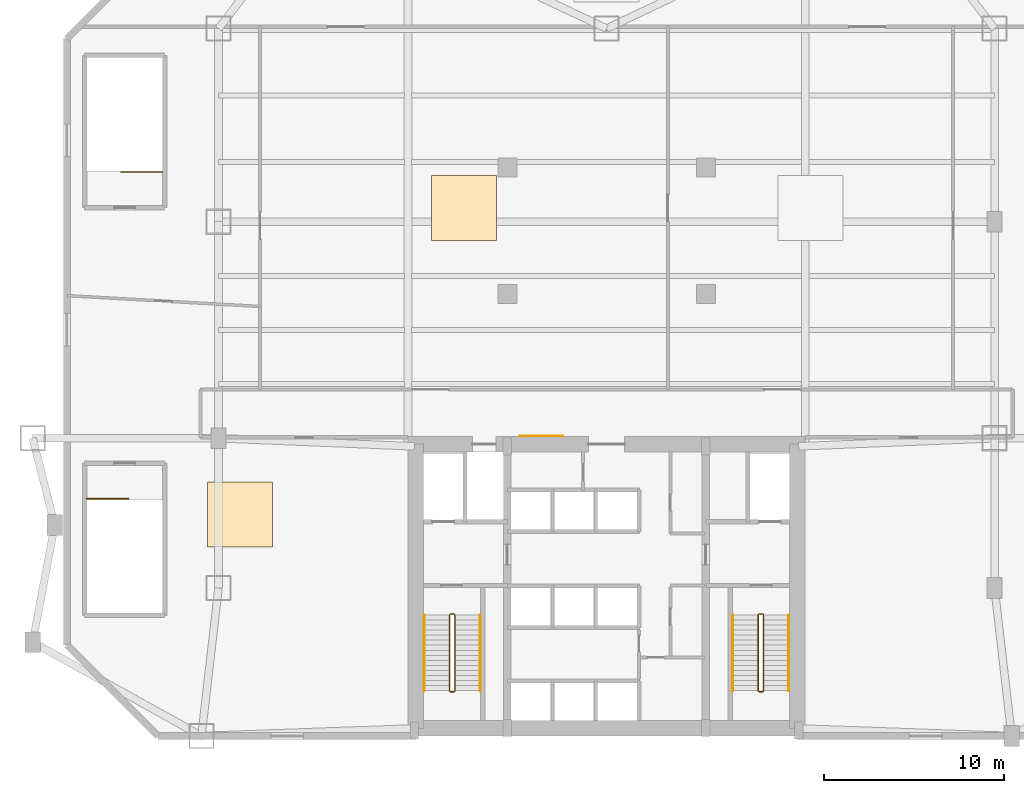
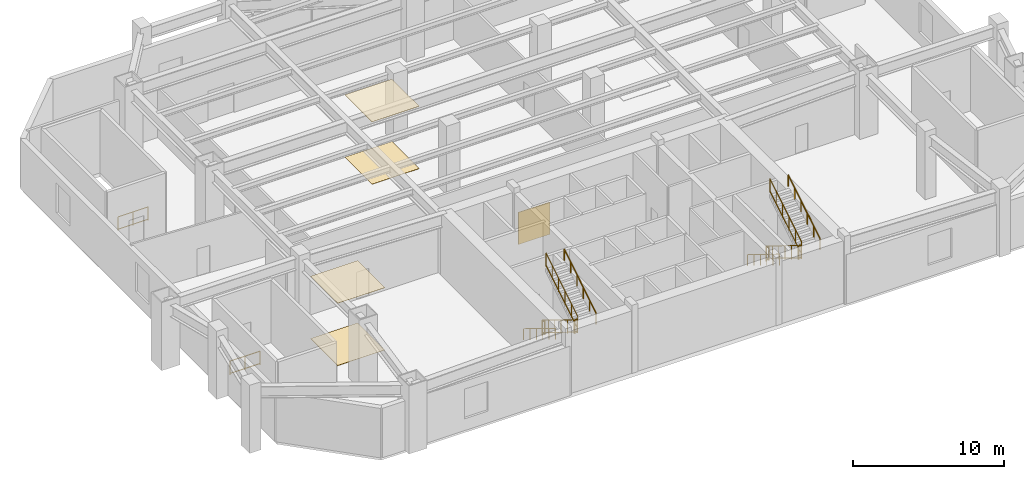
# One storey, part 7 of 8: 14 railings, 5 coverings.
"""IFC4 building model written with IfcOpenShell, lengths in metres."""

from ifc_helpers import new_model, si_unit, direction, frame, origin, origin_2d, place, context, subcontext, project, spatial, rectangle, extrude, source, transform, mapped, material, layer, layer_set, type_object, type_shapes, element, save


model = new_model("IFC4")

# Units and contexts
model_context = context("Model", 3, precision=1e-05, world=origin(), true_north=direction((0.0, 1.0)))
body_context = subcontext(model_context, "Body", "Model", "MODEL_VIEW")
ifc_project = project(units=[si_unit("LENGTHUNIT", "METRE"), si_unit("AREAUNIT", "SQUARE_METRE"), si_unit("VOLUMEUNIT", "CUBIC_METRE"), si_unit("PLANEANGLEUNIT", "RADIAN"), si_unit("MASSUNIT", "GRAM", prefix="KILO")], contexts=[model_context])

# Site, building, storey
site_placement = place(None, origin())
site = spatial("IfcSite", under=ifc_project, at=site_placement, CompositionType="ELEMENT")
building_placement = place(site_placement, origin())
building = spatial("IfcBuilding", under=site, at=building_placement, Name="Varnakhor Terracotta Tower", CompositionType="ELEMENT")
storey_placement = place(building_placement, frame((0.0, 0.0, 16.5)))
storey = spatial("IfcBuildingStorey", under=building, at=storey_placement, Name="L03", CompositionType="ELEMENT", Elevation=16.5)

# Railings
ifc_material_1 = material(Name="Painted Steel Stairwell Guardrail", Category="steel")
railing_type_1 = type_object("IfcRailingType", Name="RLG-STAIR-GUARD-1120", PredefinedType="GUARDRAIL", material=ifc_material_1)
railing_1_placement = place(storey_placement, frame((-8.699951171875, 6.7099609375, 0.171875)))
element("IfcRailing", 1, at=railing_1_placement, inside=storey, type_object=railing_type_1, Name="L03 ST-1 stair guard 1", PredefinedType="GUARDRAIL", context=body_context, shape_type="SweptSolid", body=[
    extrude(rectangle(XDim=0.048095703125, YDim=0.048095703125, at=origin_2d()), frame((0.0, 0.0, 1.09619140625), z_axis=(0.0, -0.852242915053, 0.523146264196), x_axis=(1.0, 0.0, 0.0)), (0.0, 0.0, 1.0), 4.92822265625),
    extrude(rectangle(XDim=0.048095703125, YDim=0.048095703125, at=origin_2d()), frame((0.0, 0.0, 0.10009765625), z_axis=(0.0, -0.852242915053, 0.523146264196), x_axis=(1.0, 0.0, 0.0)), (0.0, 0.0, 1.0), 4.92822265625),
    extrude(rectangle(XDim=0.0419921875, YDim=0.0419921875, at=origin_2d()), origin(), (0.0, 0.0, 1.0), 1.072021484375),
    extrude(rectangle(XDim=0.0419921875, YDim=0.0419921875, at=origin_2d()), frame((0.0, -0.840087890625, 0.515625)), (0.0, 0.0, 1.0), 1.072021484375),
    extrude(rectangle(XDim=0.0419921875, YDim=0.0419921875, at=origin_2d()), frame((0.0, -1.679931640625, 1.03125)), (0.0, 0.0, 1.0), 1.072021484375),
    extrude(rectangle(XDim=0.0419921875, YDim=0.0419921875, at=origin_2d()), frame((0.0, -2.52001953125, 1.546875)), (0.0, 0.0, 1.0), 1.072021484375),
    extrude(rectangle(XDim=0.0419921875, YDim=0.0419921875, at=origin_2d()), frame((0.0, -3.35986328125, 2.0625)), (0.0, 0.0, 1.0), 1.072021484375),
    extrude(rectangle(XDim=0.0419921875, YDim=0.0419921875, at=origin_2d()), frame((0.0, -4.199951171875, 2.578125)), (0.0, 0.0, 1.0), 1.072021484375),
])
railing_2_placement = place(storey_placement, frame((-8.64990234375, 2.4599609375, 2.75)))
element("IfcRailing", 2, at=railing_2_placement, inside=storey, type_object=railing_type_1, Name="L03 ST-1 stair guard 2", PredefinedType="GUARDRAIL", context=body_context, shape_type="SweptSolid", body=[
    extrude(rectangle(XDim=0.048095703125, YDim=0.048095703125, at=origin_2d()), frame((0.0, 0.0, 1.09619140625), z_axis=(1.0, 0.0, 0.0), x_axis=(0.0, 1.0, 0.0)), (0.0, 0.0, 1.0), 0.199951171875),
    extrude(rectangle(XDim=0.048095703125, YDim=0.048095703125, at=origin_2d()), frame((0.0, 0.0, 0.10009765625), z_axis=(1.0, 0.0, 0.0), x_axis=(0.0, 1.0, 0.0)), (0.0, 0.0, 1.0), 0.199951171875),
    extrude(rectangle(XDim=0.0419921875, YDim=0.0419921875, at=origin_2d()), origin(), (0.0, 0.0, 1.0), 1.072021484375),
    extrude(rectangle(XDim=0.0419921875, YDim=0.0419921875, at=origin_2d()), frame((0.199951171875, 0.0, 0.0)), (0.0, 0.0, 1.0), 1.072021484375),
])
railing_3_placement = place(storey_placement, frame((-8.39990234375, 2.510009765625, 2.921875)))
element("IfcRailing", 3, at=railing_3_placement, inside=storey, type_object=railing_type_1, Name="L03 ST-1 stair guard 3", PredefinedType="GUARDRAIL", context=body_context, shape_type="SweptSolid", body=[
    extrude(rectangle(XDim=0.048095703125, YDim=0.048095703125, at=origin_2d()), frame((0.0, 0.0, 1.09619140625), z_axis=(0.0, 0.852242915053, 0.523146264196), x_axis=(-1.0, 0.0, 0.0)), (0.0, 0.0, 1.0), 4.92822265625),
    extrude(rectangle(XDim=0.048095703125, YDim=0.048095703125, at=origin_2d()), frame((0.0, 0.0, 0.10009765625), z_axis=(0.0, 0.852242915053, 0.523146264196), x_axis=(-1.0, 0.0, 0.0)), (0.0, 0.0, 1.0), 4.92822265625),
    extrude(rectangle(XDim=0.0419921875, YDim=0.0419921875, at=origin_2d()), origin(), (0.0, 0.0, 1.0), 1.072021484375),
    extrude(rectangle(XDim=0.0419921875, YDim=0.0419921875, at=origin_2d()), frame((0.0, 0.840087890625, 0.515625)), (0.0, 0.0, 1.0), 1.072021484375),
    extrude(rectangle(XDim=0.0419921875, YDim=0.0419921875, at=origin_2d()), frame((0.0, 1.679931640625, 1.03125)), (0.0, 0.0, 1.0), 1.072021484375),
    extrude(rectangle(XDim=0.0419921875, YDim=0.0419921875, at=origin_2d()), frame((0.0, 2.52001953125, 1.546875)), (0.0, 0.0, 1.0), 1.072021484375),
    extrude(rectangle(XDim=0.0419921875, YDim=0.0419921875, at=origin_2d()), frame((0.0, 3.35986328125, 2.0625)), (0.0, 0.0, 1.0), 1.072021484375),
    extrude(rectangle(XDim=0.0419921875, YDim=0.0419921875, at=origin_2d()), frame((0.0, 4.199951171875, 2.578125)), (0.0, 0.0, 1.0), 1.072021484375),
])
railing_4_placement = place(storey_placement, frame((-8.64990234375, 6.760009765625, 0.0)))
element("IfcRailing", 4, at=railing_4_placement, inside=storey, type_object=railing_type_1, Name="L03 ST-1 stair guard 4", PredefinedType="GUARDRAIL", context=body_context, shape_type="SweptSolid", body=[
    extrude(rectangle(XDim=0.048095703125, YDim=0.048095703125, at=origin_2d()), frame((0.0, 0.0, 1.09619140625), z_axis=(1.0, 0.0, 0.0), x_axis=(0.0, 1.0, 0.0)), (0.0, 0.0, 1.0), 0.199951171875),
    extrude(rectangle(XDim=0.048095703125, YDim=0.048095703125, at=origin_2d()), frame((0.0, 0.0, 0.10009765625), z_axis=(1.0, 0.0, 0.0), x_axis=(0.0, 1.0, 0.0)), (0.0, 0.0, 1.0), 0.199951171875),
    extrude(rectangle(XDim=0.0419921875, YDim=0.0419921875, at=origin_2d()), origin(), (0.0, 0.0, 1.0), 1.072021484375),
    extrude(rectangle(XDim=0.0419921875, YDim=0.0419921875, at=origin_2d()), frame((0.199951171875, 0.0, 0.0)), (0.0, 0.0, 1.0), 1.072021484375),
])
railing_5_placement = place(storey_placement, frame((8.39990234375, 6.7099609375, 0.171875)))
element("IfcRailing", 5, at=railing_5_placement, inside=storey, type_object=railing_type_1, Name="L03 ST-2 stair guard 1", PredefinedType="GUARDRAIL", context=body_context, shape_type="SweptSolid", body=[
    extrude(rectangle(XDim=0.048095703125, YDim=0.048095703125, at=origin_2d()), frame((0.0, 0.0, 1.09619140625), z_axis=(0.0, -0.852242915053, 0.523146264196), x_axis=(1.0, 0.0, 0.0)), (0.0, 0.0, 1.0), 4.92822265625),
    extrude(rectangle(XDim=0.048095703125, YDim=0.048095703125, at=origin_2d()), frame((0.0, 0.0, 0.10009765625), z_axis=(0.0, -0.852242915053, 0.523146264196), x_axis=(1.0, 0.0, 0.0)), (0.0, 0.0, 1.0), 4.92822265625),
    extrude(rectangle(XDim=0.0419921875, YDim=0.0419921875, at=origin_2d()), origin(), (0.0, 0.0, 1.0), 1.072021484375),
    extrude(rectangle(XDim=0.0419921875, YDim=0.0419921875, at=origin_2d()), frame((0.0, -0.840087890625, 0.515625)), (0.0, 0.0, 1.0), 1.072021484375),
    extrude(rectangle(XDim=0.0419921875, YDim=0.0419921875, at=origin_2d()), frame((0.0, -1.679931640625, 1.03125)), (0.0, 0.0, 1.0), 1.072021484375),
    extrude(rectangle(XDim=0.0419921875, YDim=0.0419921875, at=origin_2d()), frame((0.0, -2.52001953125, 1.546875)), (0.0, 0.0, 1.0), 1.072021484375),
    extrude(rectangle(XDim=0.0419921875, YDim=0.0419921875, at=origin_2d()), frame((0.0, -3.35986328125, 2.0625)), (0.0, 0.0, 1.0), 1.072021484375),
    extrude(rectangle(XDim=0.0419921875, YDim=0.0419921875, at=origin_2d()), frame((0.0, -4.199951171875, 2.578125)), (0.0, 0.0, 1.0), 1.072021484375),
])
railing_6_placement = place(storey_placement, frame((8.449951171875, 2.4599609375, 2.75)))
element("IfcRailing", 6, at=railing_6_placement, inside=storey, type_object=railing_type_1, Name="L03 ST-2 stair guard 2", PredefinedType="GUARDRAIL", context=body_context, shape_type="SweptSolid", body=[
    extrude(rectangle(XDim=0.048095703125, YDim=0.048095703125, at=origin_2d()), frame((0.0, 0.0, 1.09619140625), z_axis=(1.0, 0.0, 0.0), x_axis=(0.0, 1.0, 0.0)), (0.0, 0.0, 1.0), 0.199951171875),
    extrude(rectangle(XDim=0.048095703125, YDim=0.048095703125, at=origin_2d()), frame((0.0, 0.0, 0.10009765625), z_axis=(1.0, 0.0, 0.0), x_axis=(0.0, 1.0, 0.0)), (0.0, 0.0, 1.0), 0.199951171875),
    extrude(rectangle(XDim=0.0419921875, YDim=0.0419921875, at=origin_2d()), origin(), (0.0, 0.0, 1.0), 1.072021484375),
    extrude(rectangle(XDim=0.0419921875, YDim=0.0419921875, at=origin_2d()), frame((0.199951171875, 0.0, 0.0)), (0.0, 0.0, 1.0), 1.072021484375),
])
railing_7_placement = place(storey_placement, frame((8.699951171875, 2.510009765625, 2.921875)))
element("IfcRailing", 7, at=railing_7_placement, inside=storey, type_object=railing_type_1, Name="L03 ST-2 stair guard 3", PredefinedType="GUARDRAIL", context=body_context, shape_type="SweptSolid", body=[
    extrude(rectangle(XDim=0.048095703125, YDim=0.048095703125, at=origin_2d()), frame((0.0, 0.0, 1.09619140625), z_axis=(0.0, 0.852242915053, 0.523146264196), x_axis=(-1.0, 0.0, 0.0)), (0.0, 0.0, 1.0), 4.92822265625),
    extrude(rectangle(XDim=0.048095703125, YDim=0.048095703125, at=origin_2d()), frame((0.0, 0.0, 0.10009765625), z_axis=(0.0, 0.852242915053, 0.523146264196), x_axis=(-1.0, 0.0, 0.0)), (0.0, 0.0, 1.0), 4.92822265625),
    extrude(rectangle(XDim=0.0419921875, YDim=0.0419921875, at=origin_2d()), origin(), (0.0, 0.0, 1.0), 1.072021484375),
    extrude(rectangle(XDim=0.0419921875, YDim=0.0419921875, at=origin_2d()), frame((0.0, 0.840087890625, 0.515625)), (0.0, 0.0, 1.0), 1.072021484375),
    extrude(rectangle(XDim=0.0419921875, YDim=0.0419921875, at=origin_2d()), frame((0.0, 1.679931640625, 1.03125)), (0.0, 0.0, 1.0), 1.072021484375),
    extrude(rectangle(XDim=0.0419921875, YDim=0.0419921875, at=origin_2d()), frame((0.0, 2.52001953125, 1.546875)), (0.0, 0.0, 1.0), 1.072021484375),
    extrude(rectangle(XDim=0.0419921875, YDim=0.0419921875, at=origin_2d()), frame((0.0, 3.35986328125, 2.0625)), (0.0, 0.0, 1.0), 1.072021484375),
    extrude(rectangle(XDim=0.0419921875, YDim=0.0419921875, at=origin_2d()), frame((0.0, 4.199951171875, 2.578125)), (0.0, 0.0, 1.0), 1.072021484375),
])
railing_8_placement = place(storey_placement, frame((8.449951171875, 6.760009765625, 0.0)))
element("IfcRailing", 8, at=railing_8_placement, inside=storey, type_object=railing_type_1, Name="L03 ST-2 stair guard 4", PredefinedType="GUARDRAIL", context=body_context, shape_type="SweptSolid", body=[
    extrude(rectangle(XDim=0.048095703125, YDim=0.048095703125, at=origin_2d()), frame((0.0, 0.0, 1.09619140625), z_axis=(1.0, 0.0, 0.0), x_axis=(0.0, 1.0, 0.0)), (0.0, 0.0, 1.0), 0.199951171875),
    extrude(rectangle(XDim=0.048095703125, YDim=0.048095703125, at=origin_2d()), frame((0.0, 0.0, 0.10009765625), z_axis=(1.0, 0.0, 0.0), x_axis=(0.0, 1.0, 0.0)), (0.0, 0.0, 1.0), 0.199951171875),
    extrude(rectangle(XDim=0.0419921875, YDim=0.0419921875, at=origin_2d()), origin(), (0.0, 0.0, 1.0), 1.072021484375),
    extrude(rectangle(XDim=0.0419921875, YDim=0.0419921875, at=origin_2d()), frame((0.199951171875, 0.0, 0.0)), (0.0, 0.0, 1.0), 1.072021484375),
])
railing_9_placement = place(storey_placement, frame((-28.800048828125, 13.14990234375, 0.0)))
element("IfcRailing", 9, at=railing_9_placement, inside=storey, type_object=railing_type_1, Name="L03 ST-P1 top well guard 1", PredefinedType="GUARDRAIL", context=body_context, shape_type="SweptSolid", body=[
    extrude(rectangle(XDim=0.048095703125, YDim=0.048095703125, at=origin_2d()), frame((0.0, 0.0, 1.09619140625), z_axis=(1.0, 0.0, 0.0), x_axis=(0.0, 1.0, 0.0)), (0.0, 0.0, 1.0), 2.300048828125),
    extrude(rectangle(XDim=0.048095703125, YDim=0.048095703125, at=origin_2d()), frame((0.0, 0.0, 0.10009765625), z_axis=(1.0, 0.0, 0.0), x_axis=(0.0, 1.0, 0.0)), (0.0, 0.0, 1.0), 2.300048828125),
    extrude(rectangle(XDim=0.0419921875, YDim=0.0419921875, at=origin_2d()), origin(), (0.0, 0.0, 1.0), 1.072021484375),
    extrude(rectangle(XDim=0.0419921875, YDim=0.0419921875, at=origin_2d()), frame((1.14990234375, 0.0, 0.0)), (0.0, 0.0, 1.0), 1.072021484375),
    extrude(rectangle(XDim=0.0419921875, YDim=0.0419921875, at=origin_2d()), frame((2.300048828125, 0.0, 0.0)), (0.0, 0.0, 1.0), 1.072021484375),
])
railing_10_placement = place(storey_placement, frame((-24.60009765625, 31.25, 0.0)))
element("IfcRailing", 10, at=railing_10_placement, inside=storey, type_object=railing_type_1, Name="L03 ST-P3 top well guard 1", PredefinedType="GUARDRAIL", context=body_context, shape_type="SweptSolid", body=[
    extrude(rectangle(XDim=0.048095703125, YDim=0.048095703125, at=origin_2d()), frame((0.0, 0.0, 1.09619140625), z_axis=(-1.0, 0.0, 0.0), x_axis=(0.0, -1.0, 0.0)), (0.0, 0.0, 1.0), 2.2998046875),
    extrude(rectangle(XDim=0.048095703125, YDim=0.048095703125, at=origin_2d()), frame((0.0, 0.0, 0.10009765625), z_axis=(-1.0, 0.0, 0.0), x_axis=(0.0, -1.0, 0.0)), (0.0, 0.0, 1.0), 2.2998046875),
    extrude(rectangle(XDim=0.0419921875, YDim=0.0419921875, at=origin_2d()), origin(), (0.0, 0.0, 1.0), 1.072021484375),
    extrude(rectangle(XDim=0.0419921875, YDim=0.0419921875, at=origin_2d()), frame((-1.14990234375, 0.0, 0.0)), (0.0, 0.0, 1.0), 1.072021484375),
    extrude(rectangle(XDim=0.0419921875, YDim=0.0419921875, at=origin_2d()), frame((-2.2998046875, 0.0, 0.0)), (0.0, 0.0, 1.0), 1.072021484375),
])
ifc_material_2 = material(Name="Brushed Stainless Steel Handrail", Category="steel")
railing_type_2 = type_object("IfcRailingType", Name="RLG-STAIR-HANDRAIL-920", PredefinedType="HANDRAIL", material=ifc_material_2)
railing_11_placement = place(storey_placement, frame((-10.10009765625, 6.7099609375, 0.171875)))
element("IfcRailing", 11, at=railing_11_placement, inside=storey, type_object=railing_type_2, Name="L03 ST-1 stair handrail 1", PredefinedType="HANDRAIL", context=body_context, shape_type="SweptSolid", body=[
    extrude(rectangle(XDim=0.048095703125, YDim=0.048095703125, at=origin_2d()), frame((0.0, 0.0, 0.89599609375), z_axis=(0.0, -0.852242915053, 0.523146264196), x_axis=(1.0, 0.0, 0.0)), (0.0, 0.0, 1.0), 4.92822265625),
    extrude(rectangle(XDim=0.0419921875, YDim=0.0419921875, at=origin_2d()), origin(), (0.0, 0.0, 1.0), 0.871826171875),
    extrude(rectangle(XDim=0.0419921875, YDim=0.0419921875, at=origin_2d()), frame((0.0, -0.840087890625, 0.515625)), (0.0, 0.0, 1.0), 0.871826171875),
    extrude(rectangle(XDim=0.0419921875, YDim=0.0419921875, at=origin_2d()), frame((0.0, -1.679931640625, 1.03125)), (0.0, 0.0, 1.0), 0.871826171875),
    extrude(rectangle(XDim=0.0419921875, YDim=0.0419921875, at=origin_2d()), frame((0.0, -2.52001953125, 1.546875)), (0.0, 0.0, 1.0), 0.871826171875),
    extrude(rectangle(XDim=0.0419921875, YDim=0.0419921875, at=origin_2d()), frame((0.0, -3.35986328125, 2.0625)), (0.0, 0.0, 1.0), 0.871826171875),
    extrude(rectangle(XDim=0.0419921875, YDim=0.0419921875, at=origin_2d()), frame((0.0, -4.199951171875, 2.578125)), (0.0, 0.0, 1.0), 0.871826171875),
])
railing_12_placement = place(storey_placement, frame((-7.0, 2.510009765625, 2.921875)))
element("IfcRailing", 12, at=railing_12_placement, inside=storey, type_object=railing_type_2, Name="L03 ST-1 stair handrail 2", PredefinedType="HANDRAIL", context=body_context, shape_type="SweptSolid", body=[
    extrude(rectangle(XDim=0.048095703125, YDim=0.048095703125, at=origin_2d()), frame((0.0, 0.0, 0.89599609375), z_axis=(0.0, 0.852242915053, 0.523146264196), x_axis=(-1.0, 0.0, 0.0)), (0.0, 0.0, 1.0), 4.92822265625),
    extrude(rectangle(XDim=0.0419921875, YDim=0.0419921875, at=origin_2d()), origin(), (0.0, 0.0, 1.0), 0.871826171875),
    extrude(rectangle(XDim=0.0419921875, YDim=0.0419921875, at=origin_2d()), frame((0.0, 0.840087890625, 0.515625)), (0.0, 0.0, 1.0), 0.871826171875),
    extrude(rectangle(XDim=0.0419921875, YDim=0.0419921875, at=origin_2d()), frame((0.0, 1.679931640625, 1.03125)), (0.0, 0.0, 1.0), 0.871826171875),
    extrude(rectangle(XDim=0.0419921875, YDim=0.0419921875, at=origin_2d()), frame((0.0, 2.52001953125, 1.546875)), (0.0, 0.0, 1.0), 0.871826171875),
    extrude(rectangle(XDim=0.0419921875, YDim=0.0419921875, at=origin_2d()), frame((0.0, 3.35986328125, 2.0625)), (0.0, 0.0, 1.0), 0.871826171875),
    extrude(rectangle(XDim=0.0419921875, YDim=0.0419921875, at=origin_2d()), frame((0.0, 4.199951171875, 2.578125)), (0.0, 0.0, 1.0), 0.871826171875),
])
railing_13_placement = place(storey_placement, frame((7.0, 6.7099609375, 0.171875)))
element("IfcRailing", 13, at=railing_13_placement, inside=storey, type_object=railing_type_2, Name="L03 ST-2 stair handrail 1", PredefinedType="HANDRAIL", context=body_context, shape_type="SweptSolid", body=[
    extrude(rectangle(XDim=0.048095703125, YDim=0.048095703125, at=origin_2d()), frame((0.0, 0.0, 0.89599609375), z_axis=(0.0, -0.852242915053, 0.523146264196), x_axis=(1.0, 0.0, 0.0)), (0.0, 0.0, 1.0), 4.92822265625),
    extrude(rectangle(XDim=0.0419921875, YDim=0.0419921875, at=origin_2d()), origin(), (0.0, 0.0, 1.0), 0.871826171875),
    extrude(rectangle(XDim=0.0419921875, YDim=0.0419921875, at=origin_2d()), frame((0.0, -0.840087890625, 0.515625)), (0.0, 0.0, 1.0), 0.871826171875),
    extrude(rectangle(XDim=0.0419921875, YDim=0.0419921875, at=origin_2d()), frame((0.0, -1.679931640625, 1.03125)), (0.0, 0.0, 1.0), 0.871826171875),
    extrude(rectangle(XDim=0.0419921875, YDim=0.0419921875, at=origin_2d()), frame((0.0, -2.52001953125, 1.546875)), (0.0, 0.0, 1.0), 0.871826171875),
    extrude(rectangle(XDim=0.0419921875, YDim=0.0419921875, at=origin_2d()), frame((0.0, -3.35986328125, 2.0625)), (0.0, 0.0, 1.0), 0.871826171875),
    extrude(rectangle(XDim=0.0419921875, YDim=0.0419921875, at=origin_2d()), frame((0.0, -4.199951171875, 2.578125)), (0.0, 0.0, 1.0), 0.871826171875),
])
railing_14_placement = place(storey_placement, frame((10.10009765625, 2.510009765625, 2.921875)))
element("IfcRailing", 14, at=railing_14_placement, inside=storey, type_object=railing_type_2, Name="L03 ST-2 stair handrail 2", PredefinedType="HANDRAIL", context=body_context, shape_type="SweptSolid", body=[
    extrude(rectangle(XDim=0.048095703125, YDim=0.048095703125, at=origin_2d()), frame((0.0, 0.0, 0.89599609375), z_axis=(0.0, 0.852242915053, 0.523146264196), x_axis=(-1.0, 0.0, 0.0)), (0.0, 0.0, 1.0), 4.92822265625),
    extrude(rectangle(XDim=0.0419921875, YDim=0.0419921875, at=origin_2d()), origin(), (0.0, 0.0, 1.0), 0.871826171875),
    extrude(rectangle(XDim=0.0419921875, YDim=0.0419921875, at=origin_2d()), frame((0.0, 0.840087890625, 0.515625)), (0.0, 0.0, 1.0), 0.871826171875),
    extrude(rectangle(XDim=0.0419921875, YDim=0.0419921875, at=origin_2d()), frame((0.0, 1.679931640625, 1.03125)), (0.0, 0.0, 1.0), 0.871826171875),
    extrude(rectangle(XDim=0.0419921875, YDim=0.0419921875, at=origin_2d()), frame((0.0, 2.52001953125, 1.546875)), (0.0, 0.0, 1.0), 0.871826171875),
    extrude(rectangle(XDim=0.0419921875, YDim=0.0419921875, at=origin_2d()), frame((0.0, 3.35986328125, 2.0625)), (0.0, 0.0, 1.0), 0.871826171875),
    extrude(rectangle(XDim=0.0419921875, YDim=0.0419921875, at=origin_2d()), frame((0.0, 4.199951171875, 2.578125)), (0.0, 0.0, 1.0), 0.871826171875),
])

# Coverings
ifc_material_3 = material(Name="Extruded Architectural Terracotta Cladding", Category="masonry")
ifc_layer_1 = layer(ifc_material_3, 0.044921875, Name="Extruded Architectural Terracotta Cladding")
ifc_layer_set_1 = layer_set([ifc_layer_1], Name="Extruded Architectural Terracotta Cladding")
covering_type_1 = type_object("IfcCoveringType", Name="COV-CLAD-TERRACOTTA", PredefinedType="CLADDING", material=ifc_layer_set_1)
shared_shape_1 = source(origin(), body_context, "Body", "SweptSolid", [
    extrude(rectangle(XDim=2.39990234375, YDim=0.030029296875, at=origin_2d()), origin(), (0.0, 0.0, 1.0), 2.60009765625),
])
type_shapes(covering_type_1, [shared_shape_1])
covering_placement = place(storey_placement, frame((-3.60009765625, 16.612060546875, 0.0), z_axis=(0.0, 0.0, 1.0), x_axis=(1.0, 0.0, 0.0)))
element("IfcCovering", 15, at=covering_placement, inside=storey, type_object=covering_type_1, Name="L03 Core Lobby Limestone Cladding", PredefinedType="CLADDING", context=body_context, shape_type="MappedRepresentation", body=[
    mapped(shared_shape_1, transform((0.0, 0.0, 0.0), scale=1.0)),
])
ifc_material_4 = material(Name="Honed Riyadh Limestone Flooring", Category="masonry")
ifc_layer_2 = layer(ifc_material_4, 0.030029296875, Name="Honed Riyadh Limestone Flooring")
ifc_layer_set_2 = layer_set([ifc_layer_2], Name="Honed Riyadh Limestone Flooring")
covering_type_2 = type_object("IfcCoveringType", Name="COV-FLOOR-LIMESTONE", PredefinedType="FLOORING", material=ifc_layer_set_2)
shared_shape_2 = source(origin(), body_context, "Body", "SweptSolid", [
    extrude(rectangle(XDim=3.60009765625, YDim=3.60009765625, at=origin_2d()), origin(), (0.0, 0.0, 1.0), 0.02001953125),
])
for number, where, z_axis, x_axis, name in (
    (16, (-20.320068359375, 12.27587890625, 0.0), (0.0, 0.0, 1.0), (1.0, 0.0, 0.0), "L03 Honed Stone Flooring 1"),
    (17, (-7.89794921875, 29.25, 0.0), (0.0, 0.0, 1.0), (1.0, 0.0, 0.0), "L03 Honed Stone Flooring 2"),
):
    element("IfcCovering", number, at=place(storey_placement, frame(where, z_axis=z_axis, x_axis=x_axis)), inside=storey, type_object=covering_type_2, Name=name, PredefinedType="FLOORING", context=body_context, shape_type="MappedRepresentation", body=[
        mapped(shared_shape_2, transform((0.0, 0.0, 0.0), scale=1.0)),
    ])
ifc_material_5 = material(Name="Perforated Acoustic Mineral-Fibre Ceiling", Category="gypsum")
ifc_layer_3 = layer(ifc_material_5, 0.02490234375, Name="Perforated Acoustic Mineral-Fibre Ceiling")
ifc_layer_set_3 = layer_set([ifc_layer_3], Name="Perforated Acoustic Mineral-Fibre Ceiling")
covering_type_3 = type_object("IfcCoveringType", Name="COV-CEILING-ACOUSTIC", PredefinedType="CEILING", material=ifc_layer_set_3)
shared_shape_3 = source(origin(), body_context, "Body", "SweptSolid", [
    extrude(rectangle(XDim=3.60009765625, YDim=3.60009765625, at=origin_2d()), origin(), (0.0, 0.0, 1.0), 0.02392578125),
])
for number, where, z_axis, x_axis, name in (
    (18, (-20.320068359375, 12.27587890625, 5.026123046875), (0.0, 0.0, 1.0), (1.0, 0.0, 0.0), "L03 Acoustic Ceiling Panel 1"),
    (19, (-7.89794921875, 29.25, 5.026123046875), (0.0, 0.0, 1.0), (1.0, 0.0, 0.0), "L03 Acoustic Ceiling Panel 2"),
):
    element("IfcCovering", number, at=place(storey_placement, frame(where, z_axis=z_axis, x_axis=x_axis)), inside=storey, type_object=covering_type_3, Name=name, PredefinedType="CEILING", context=body_context, shape_type="MappedRepresentation", body=[
        mapped(shared_shape_3, transform((0.0, 0.0, 0.0), scale=1.0)),
    ])

save(model, "model.ifc")
